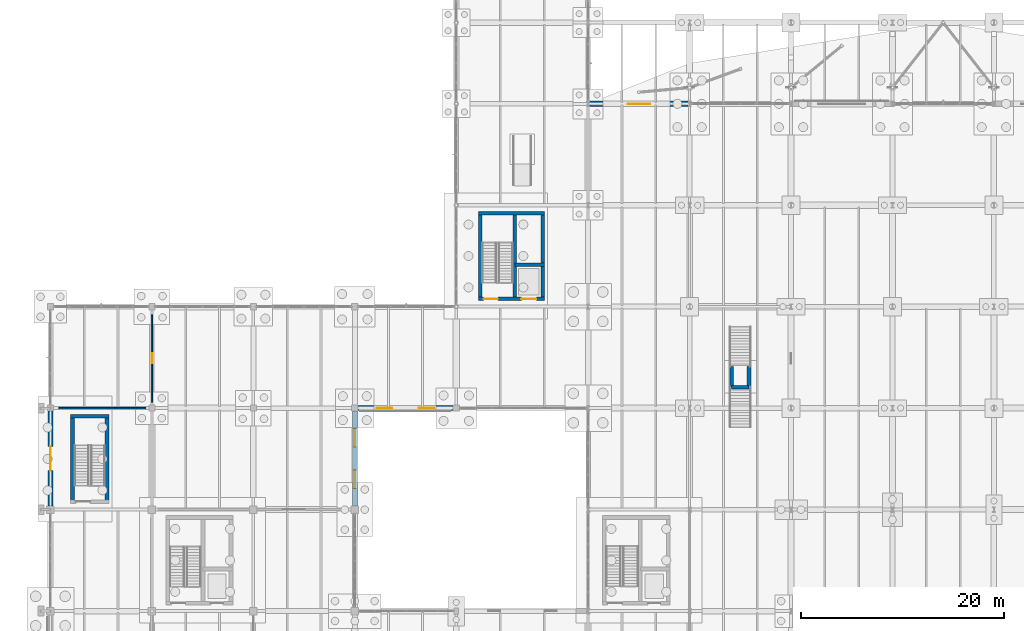
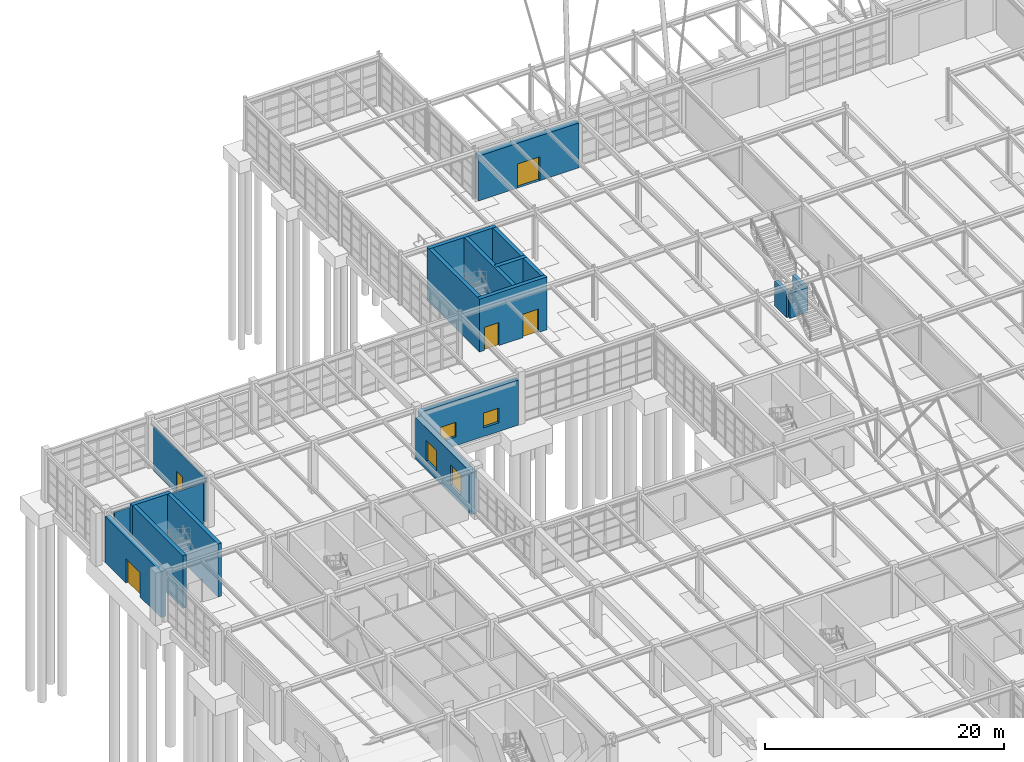
# One storey, part 124 of 145: 18 walls, 5 doors, 4 windows, 9 openings.
"""IFC4 building model written with IfcOpenShell, lengths in metres."""

from ifc_helpers import new_model, si_unit, direction, frame, frame_2d, origin, place, context, subcontext, project, spatial, rectangle, extrude, material, layer, layer_set, type_object, element, fill, save


model = new_model("IFC4")

# Units and contexts
model_context = context("Model", 3, precision=1e-05, world=origin(), true_north=direction((0.0, 1.0)))
body_context = subcontext(model_context, "Body", "Model", "MODEL_VIEW")
ifc_project = project(units=[si_unit("LENGTHUNIT", "METRE"), si_unit("AREAUNIT", "SQUARE_METRE"), si_unit("VOLUMEUNIT", "CUBIC_METRE"), si_unit("PLANEANGLEUNIT", "RADIAN"), si_unit("MASSUNIT", "GRAM", prefix="KILO"), si_unit("THERMODYNAMICTEMPERATUREUNIT", "KELVIN"), si_unit("POWERUNIT", "WATT")], contexts=[model_context])

# Site, building, storey
site_placement = place(None, origin())
site = spatial("IfcSite", under=ifc_project, at=site_placement, CompositionType="ELEMENT")
building_placement = place(site_placement, origin())
building = spatial("IfcBuilding", under=site, at=building_placement, Name="Korenveer Ferry Terminal", CompositionType="ELEMENT")
storey_placement = place(building_placement, origin())
storey = spatial("IfcBuildingStorey", under=building, at=storey_placement, Name="L00", CompositionType="ELEMENT", Elevation=0.0)

# Wall, openings, windows
ifc_material_1 = material(Name="Belgian bluestone plinth masonry", Category="masonry")
ifc_layer_1 = layer(ifc_material_1, 0.5)
ifc_layer_set_1 = layer_set([ifc_layer_1], Name="Belgian bluestone plinth masonry")
wall_type_1 = type_object("IfcWallType", Name="ENV-WL-STN500", PredefinedType="SOLIDWALL", material=ifc_layer_set_1)
wall_1_placement = place(storey_placement, frame((30.300048828125, 70.0, 0.0), z_axis=(0.0, 0.0, 1.0), x_axis=(1.0, 0.0, 0.0)))
wall_1 = element("IfcWall", 1, at=wall_1_placement, inside=storey, type_object=wall_type_1, Name="Exterior facade wall EWL-L00-016", PredefinedType="SOLIDWALL", context=body_context, shape_type="SweptSolid", body=[
    extrude(rectangle(XDim=9.39990234375, YDim=0.5, at=frame_2d((4.699951171875, 0.0))), origin(), (0.0, 0.0, 1.0), 4.590087890625),
])
opening_1_placement = place(wall_1_placement, frame((1.882080078125, 0.0, 0.89990234375)))
opening_1 = element("IfcOpeningElement", 2, at=opening_1_placement, cuts=wall_1, Name="Opening WN-11", PredefinedType="OPENING", context=body_context, shape_type="SweptSolid", body=[
    extrude(rectangle(XDim=1.5, YDim=1.5, at=frame_2d((0.75, 0.75))), frame((0.0, 0.260009765625, 0.0), z_axis=(0.0, -1.0, 0.0), x_axis=(1.0, 0.0, 0.0)), (0.0, 0.0, 1.0), 0.52001953125),
])
opening_2_placement = place(wall_1_placement, frame((6.01806640625, 0.0, 0.89990234375)))
opening_2 = element("IfcOpeningElement", 3, at=opening_2_placement, cuts=wall_1, Name="Opening WN-11", PredefinedType="OPENING", context=body_context, shape_type="SweptSolid", body=[
    extrude(rectangle(XDim=1.5, YDim=1.5, at=frame_2d((0.75, 0.75))), frame((0.0, 0.260009765625, 0.0), z_axis=(0.0, -1.0, 0.0), x_axis=(1.0, 0.0, 0.0)), (0.0, 0.0, 1.0), 0.52001953125),
])
ifc_material_2 = material(Name="Low-iron triple glazing in bronze frame", Category="glass")
window_type_1 = type_object("IfcWindowType", Name="ENV-WN-11", PartitioningType="SINGLE_PANEL", PredefinedType="WINDOW", material=ifc_material_2)
window_1_placement = place(opening_1_placement, origin())
window_1 = element("IfcWindow", 4, at=window_1_placement, inside=storey, type_object=window_type_1, Name="Lancet facade window 11", OverallHeight=1.5, OverallWidth=1.5, PartitioningType="SINGLE_PANEL", PredefinedType="WINDOW", context=body_context, shape_type="SweptSolid", body=[
    extrude(rectangle(XDim=1.5, YDim=1.5, at=frame_2d((0.75, 0.75))), frame((0.0, 0.030029296875, 0.0), z_axis=(0.0, -1.0, 0.0), x_axis=(1.0, 0.0, 0.0)), (0.0, 0.0, 1.0), 0.06005859375),
])
fill(opening_1, window_1)
window_2_placement = place(opening_2_placement, origin())
window_2 = element("IfcWindow", 5, at=window_2_placement, inside=storey, type_object=window_type_1, Name="Lancet facade window 12", OverallHeight=1.5, OverallWidth=1.5, PartitioningType="SINGLE_PANEL", PredefinedType="WINDOW", context=body_context, shape_type="SweptSolid", body=[
    extrude(rectangle(XDim=1.5, YDim=1.5, at=frame_2d((0.75, 0.75))), frame((0.0, 0.030029296875, 0.0), z_axis=(0.0, -1.0, 0.0), x_axis=(1.0, 0.0, 0.0)), (0.0, 0.0, 1.0), 0.06005859375),
])
fill(opening_2, window_2)

# Wall, opening, door
wall_2_placement = place(storey_placement, frame((0.0, 60.375, 0.0), z_axis=(0.0, 0.0, 1.0), x_axis=(0.0, 1.0, 0.0)))
wall_2 = element("IfcWall", 6, at=wall_2_placement, inside=storey, type_object=wall_type_1, Name="Exterior facade wall EWL-L00-026", PredefinedType="SOLIDWALL", context=body_context, shape_type="SweptSolid", body=[
    extrude(rectangle(XDim=9.324951171875, YDim=0.5, at=frame_2d((4.66259765625, 0.0))), origin(), (0.0, 0.0, 1.0), 4.68994140625),
])
opening_3_placement = place(wall_2_placement, frame((3.462890625, 0.0, 0.0)))
opening_3 = element("IfcOpeningElement", 7, at=opening_3_placement, cuts=wall_2, Name="Opening E10", PredefinedType="OPENING", context=body_context, shape_type="SweptSolid", body=[
    extrude(rectangle(XDim=2.39990234375, YDim=2.5, at=frame_2d((1.199951171875, 1.25))), frame((0.0, 0.260009765625, 0.0), z_axis=(0.0, -1.0, 0.0), x_axis=(1.0, 0.0, 0.0)), (0.0, 0.0, 1.0), 0.52001953125),
])
ifc_material_3 = material(Name="Thermally broken bronze glazed door", Category="aluminium")
door_type_1 = type_object("IfcDoorType", Name="ENV-DR-EXIT240", OperationType="DOUBLE_DOOR_SINGLE_SWING", PredefinedType="DOOR", material=ifc_material_3)
door_1_placement = place(opening_3_placement, origin())
door_1 = element("IfcDoor", 8, at=door_1_placement, inside=storey, type_object=door_type_1, Name="West North Stair Final Exit E10", OperationType="DOUBLE_DOOR_SINGLE_SWING", OverallHeight=2.5, OverallWidth=2.39990234375, PredefinedType="DOOR", context=body_context, shape_type="SweptSolid", body=[
    extrude(rectangle(XDim=2.39990234375, YDim=2.5, at=frame_2d((1.199951171875, 1.25))), frame((0.0, 0.02490234375, 0.0), z_axis=(0.0, -1.0, 0.0), x_axis=(1.0, 0.0, 0.0)), (0.0, 0.0, 1.0), 0.050048828125),
])
fill(opening_3, door_1)

# Wall, openings, windows
wall_3_placement = place(storey_placement, frame((30.0, 69.699951171875, 0.0), z_axis=(0.0, 0.0, 1.0), x_axis=(0.0, -1.0, 0.0)))
wall_3 = element("IfcWall", 9, at=wall_3_placement, inside=storey, type_object=wall_type_1, Name="Exterior facade wall EWL-L00-027", PredefinedType="SOLIDWALL", context=body_context, shape_type="SweptSolid", body=[
    extrude(rectangle(XDim=9.324951171875, YDim=0.5, at=frame_2d((4.66259765625, 0.0))), origin(), (0.0, 0.0, 1.0), 4.2900390625),
])
opening_4_placement = place(wall_3_placement, frame((1.7109375, 0.0, 0.89990234375)))
opening_4 = element("IfcOpeningElement", 10, at=opening_4_placement, cuts=wall_3, Name="Opening WN-19", PredefinedType="OPENING", context=body_context, shape_type="SweptSolid", body=[
    extrude(rectangle(XDim=1.800048828125, YDim=2.10009765625, at=frame_2d((0.89990234375, 1.050048828125))), frame((0.0, 0.260009765625, 0.0), z_axis=(0.0, -1.0, 0.0), x_axis=(1.0, 0.0, 0.0)), (0.0, 0.0, 1.0), 0.52001953125),
])
opening_5_placement = place(wall_3_placement, frame((5.81396484375, 0.0, 0.89990234375)))
opening_5 = element("IfcOpeningElement", 11, at=opening_5_placement, cuts=wall_3, Name="Opening WN-19", PredefinedType="OPENING", context=body_context, shape_type="SweptSolid", body=[
    extrude(rectangle(XDim=1.800048828125, YDim=2.10009765625, at=frame_2d((0.89990234375, 1.050048828125))), frame((0.0, 0.260009765625, 0.0), z_axis=(0.0, -1.0, 0.0), x_axis=(1.0, 0.0, 0.0)), (0.0, 0.0, 1.0), 0.52001953125),
])
window_type_2 = type_object("IfcWindowType", Name="ENV-WN-19", PartitioningType="SINGLE_PANEL", PredefinedType="WINDOW", material=ifc_material_2)
window_3_placement = place(opening_4_placement, origin())
window_3 = element("IfcWindow", 12, at=window_3_placement, inside=storey, type_object=window_type_2, Name="Lancet facade window 19", OverallHeight=2.10009765625, OverallWidth=1.800048828125, PartitioningType="SINGLE_PANEL", PredefinedType="WINDOW", context=body_context, shape_type="SweptSolid", body=[
    extrude(rectangle(XDim=1.800048828125, YDim=2.10009765625, at=frame_2d((0.89990234375, 1.050048828125))), frame((0.0, 0.030029296875, 0.0), z_axis=(0.0, -1.0, 0.0), x_axis=(1.0, 0.0, 0.0)), (0.0, 0.0, 1.0), 0.06005859375),
])
fill(opening_4, window_3)
window_4_placement = place(opening_5_placement, origin())
window_4 = element("IfcWindow", 13, at=window_4_placement, inside=storey, type_object=window_type_2, Name="Lancet facade window 20", OverallHeight=2.10009765625, OverallWidth=1.800048828125, PartitioningType="SINGLE_PANEL", PredefinedType="WINDOW", context=body_context, shape_type="SweptSolid", body=[
    extrude(rectangle(XDim=1.800048828125, YDim=2.10009765625, at=frame_2d((0.89990234375, 1.050048828125))), frame((0.0, 0.030029296875, 0.0), z_axis=(0.0, -1.0, 0.0), x_axis=(1.0, 0.0, 0.0)), (0.0, 0.0, 1.0), 0.06005859375),
])
fill(opening_5, window_4)

# Wall, opening, door
ifc_material_4 = material(Name="Belgian bluestone flood-plinth masonry", Category="masonry")
ifc_layer_2 = layer(ifc_material_4, 0.56005859375)
ifc_layer_set_2 = layer_set([ifc_layer_2], Name="Belgian bluestone flood-plinth masonry")
wall_type_2 = type_object("IfcWallType", Name="ENV-WL-STN560", PredefinedType="SOLIDWALL", material=ifc_layer_set_2)
wall_4_placement = place(storey_placement, frame((53.14990234375, 100.0, 0.0), z_axis=(0.0, 0.0, 1.0), x_axis=(1.0, 0.0, 0.0)))
wall_4 = element("IfcWall", 14, at=wall_4_placement, inside=storey, type_object=wall_type_2, Name="Exterior facade wall EWL-L00-018", PredefinedType="SOLIDWALL", context=body_context, shape_type="SweptSolid", body=[
    extrude(rectangle(XDim=9.7001953125, YDim=0.56005859375, at=frame_2d((4.85009765625, 0.0))), origin(), (0.0, 0.0, 1.0), 4.580078125),
])
opening_6_placement = place(wall_4_placement, frame((3.75, 0.0, 0.0)))
opening_6 = element("IfcOpeningElement", 15, at=opening_6_placement, cuts=wall_4, Name="Opening E13", PredefinedType="OPENING", context=body_context, shape_type="SweptSolid", body=[
    extrude(rectangle(XDim=2.199951171875, YDim=2.449951171875, at=frame_2d((1.10009765625, 1.22509765625))), frame((0.0, 0.2900390625, 0.0), z_axis=(0.0, -1.0, 0.0), x_axis=(1.0, 0.0, 0.0)), (0.0, 0.0, 1.0), 0.580078125),
])
door_type_2 = type_object("IfcDoorType", Name="ENV-DR-EXIT220", OperationType="DOUBLE_DOOR_SINGLE_SWING", PredefinedType="DOOR", material=ifc_material_3)
door_2_placement = place(opening_6_placement, origin())
door_2 = element("IfcDoor", 16, at=door_2_placement, inside=storey, type_object=door_type_2, Name="West Waterfront Quay Promenade Exit E13", OperationType="DOUBLE_DOOR_SINGLE_SWING", OverallHeight=2.449951171875, OverallWidth=2.199951171875, PredefinedType="DOOR", context=body_context, shape_type="SweptSolid", body=[
    extrude(rectangle(XDim=2.199951171875, YDim=2.449951171875, at=frame_2d((1.10009765625, 1.22509765625))), frame((0.0, 0.02490234375, 0.0), z_axis=(0.0, -1.0, 0.0), x_axis=(1.0, 0.0, 0.0)), (0.0, 0.0, 1.0), 0.050048828125),
])
fill(opening_6, door_2)

# Wall, openings, doors
ifc_material_5 = material(Name="Concrete C45/55", Category="concrete")
ifc_layer_3 = layer(ifc_material_5, 0.360107421875)
ifc_layer_set_3 = layer_set([ifc_layer_3], Name="Concrete C45/55")
wall_type_3 = type_object("IfcWallType", Name="INT-WL-CORE360", PredefinedType="SHEAR", material=ifc_layer_set_3)
wall_5_placement = place(storey_placement, frame((42.199951171875, 80.780029296875, 0.0), z_axis=(0.0, 0.0, 1.0), x_axis=(1.0, 0.0, 0.0)))
wall_5 = element("IfcWall", 17, at=wall_5_placement, inside=storey, type_object=wall_type_3, Name="West Berth Pier Core K7 south shear wall L00", PredefinedType="SHEAR", context=body_context, shape_type="SweptSolid", body=[
    extrude(rectangle(XDim=6.52001953125, YDim=0.360107421875, at=frame_2d((3.260009765625, 0.0))), origin(), (0.0, 0.0, 1.0), 5.39990234375),
])
opening_7_placement = place(wall_5_placement, frame((0.510009765625, 0.0, 0.0)))
opening_7 = element("IfcOpeningElement", 18, at=opening_7_placement, cuts=wall_5, Name="Opening SD-23", PredefinedType="OPENING", context=body_context, shape_type="SweptSolid", body=[
    extrude(rectangle(XDim=1.39990234375, YDim=2.35009765625, at=frame_2d((0.699951171875, 1.175048828125))), frame((0.0, 0.18994140625, 0.0), z_axis=(0.0, -1.0, 0.0), x_axis=(1.0, 0.0, 0.0)), (0.0, 0.0, 1.0), 0.380126953125),
])
opening_8_placement = place(wall_5_placement, frame((4.2099609375, 0.0, 0.0)))
opening_8 = element("IfcOpeningElement", 19, at=opening_8_placement, cuts=wall_5, Name="Opening LD-23", PredefinedType="OPENING", context=body_context, shape_type="SweptSolid", body=[
    extrude(rectangle(XDim=1.5, YDim=2.39990234375, at=frame_2d((0.75, 1.199951171875))), frame((0.0, 0.18994140625, 0.0), z_axis=(0.0, -1.0, 0.0), x_axis=(1.0, 0.0, 0.0)), (0.0, 0.0, 1.0), 0.380126953125),
])
ifc_material_6 = material(Name="Solid hardwood and steel acoustic door", Category="steel")
door_type_3 = type_object("IfcDoorType", Name="INT-DR-LD150", OperationType="SLIDING_TO_LEFT", PredefinedType="DOOR", material=ifc_material_6)
door_3_placement = place(opening_8_placement, origin())
door_3 = element("IfcDoor", 20, at=door_3_placement, inside=storey, type_object=door_type_3, Name="Lift LG1 Sliding Landing Door L00", OperationType="SLIDING_TO_LEFT", OverallHeight=2.39990234375, OverallWidth=1.5, PredefinedType="DOOR", context=body_context, shape_type="SweptSolid", body=[
    extrude(rectangle(XDim=1.5, YDim=2.39990234375, at=frame_2d((0.75, 1.199951171875))), frame((0.0, 0.02490234375, 0.0), z_axis=(0.0, -1.0, 0.0), x_axis=(1.0, 0.0, 0.0)), (0.0, 0.0, 1.0), 0.050048828125),
])
fill(opening_8, door_3)
door_type_4 = type_object("IfcDoorType", Name="INT-DR-ST140", OperationType="NOTDEFINED", PredefinedType="DOOR", material=ifc_material_6)
door_4_placement = place(opening_7_placement, origin())
door_4 = element("IfcDoor", 21, at=door_4_placement, inside=storey, type_object=door_type_4, Name="ST07 Stair Door L00", OperationType="SINGLE_SWING_LEFT", OverallHeight=2.35009765625, OverallWidth=1.39990234375, PredefinedType="DOOR", context=body_context, shape_type="SweptSolid", body=[
    extrude(rectangle(XDim=1.39990234375, YDim=2.35009765625, at=frame_2d((0.699951171875, 1.175048828125))), frame((0.0, 0.02490234375, 0.0), z_axis=(0.0, -1.0, 0.0), x_axis=(1.0, 0.0, 0.0)), (0.0, 0.0, 1.0), 0.050048828125),
])
fill(opening_7, door_4)

# Walls
wall_6_placement = place(storey_placement, frame((42.199951171875, 89.219970703125, 0.0), z_axis=(0.0, 0.0, 1.0), x_axis=(1.0, 0.0, 0.0)))
element("IfcWall", 22, at=wall_6_placement, inside=storey, type_object=wall_type_3, Name="West Berth Pier Core K7 north shear wall L00", PredefinedType="SHEAR", context=body_context, shape_type="SweptSolid", body=[
    extrude(rectangle(XDim=6.52001953125, YDim=0.360107421875, at=frame_2d((3.260009765625, 0.0))), origin(), (0.0, 0.0, 1.0), 5.39990234375),
])
for number, where, z_axis, x_axis, name in (
    (23, (42.3798828125, 80.60009765625, 0.0), (0.0, 0.0, 1.0), (0.0, 1.0, 0.0), "West Berth Pier Core K7 west shear wall L00"),
    (24, (48.5400390625, 80.60009765625, 0.0), (0.0, 0.0, 1.0), (0.0, 1.0, 0.0), "West Berth Pier Core K7 east shear wall L00"),
    (25, (45.780029296875, 80.60009765625, 0.0), (0.0, 0.0, 1.0), (0.0, 1.0, 0.0), "West Berth Pier Core K7 shaft divider wall L00"),
):
    element("IfcWall", number, at=place(storey_placement, frame(where, z_axis=z_axis, x_axis=x_axis)), inside=storey, type_object=wall_type_3, Name=name, PredefinedType="SHEAR", context=body_context, shape_type="SweptSolid", body=[
        extrude(rectangle(XDim=8.7998046875, YDim=0.360107421875, at=frame_2d((4.39990234375, 0.0))), origin(), (0.0, 0.0, 1.0), 5.39990234375),
    ])
wall_7_placement = place(storey_placement, frame((45.780029296875, 84.139892578125, 0.0), z_axis=(0.0, 0.0, 1.0), x_axis=(1.0, 0.0, 0.0)))
element("IfcWall", 26, at=wall_7_placement, inside=storey, type_object=wall_type_3, Name="West Berth Pier Core K7 lift shaft wall L00", PredefinedType="SHEAR", context=body_context, shape_type="SweptSolid", body=[
    extrude(rectangle(XDim=2.93994140625, YDim=0.360107421875, at=frame_2d((1.469970703125, 0.0))), origin(), (0.0, 0.0, 1.0), 5.39990234375),
])
wall_8_placement = place(storey_placement, frame((2.0, 69.219970703125, 0.0), z_axis=(0.0, 0.0, 1.0), x_axis=(1.0, 0.0, 0.0)))
element("IfcWall", 27, at=wall_8_placement, inside=storey, type_object=wall_type_3, Name="Harbourmaster North Stair Core K11 north shear wall L00", PredefinedType="SHEAR", context=body_context, shape_type="SweptSolid", body=[
    extrude(rectangle(XDim=3.760009765625, YDim=0.360107421875, at=frame_2d((1.8798828125, 0.0))), origin(), (0.0, 0.0, 1.0), 5.39990234375),
])
for number, where, z_axis, x_axis, name in (
    (28, (2.179931640625, 60.60009765625, 0.0), (0.0, 0.0, 1.0), (0.0, 1.0, 0.0), "Harbourmaster North Stair Core K11 west shear wall L00"),
    (29, (5.580078125, 60.60009765625, 0.0), (0.0, 0.0, 1.0), (0.0, 1.0, 0.0), "Harbourmaster North Stair Core K11 east shear wall L00"),
):
    element("IfcWall", number, at=place(storey_placement, frame(where, z_axis=z_axis, x_axis=x_axis)), inside=storey, type_object=wall_type_3, Name=name, PredefinedType="SHEAR", context=body_context, shape_type="SweptSolid", body=[
        extrude(rectangle(XDim=8.7998046875, YDim=0.360107421875, at=frame_2d((4.39990234375, 0.0))), origin(), (0.0, 0.0, 1.0), 5.39990234375),
    ])
for number, where, z_axis, x_axis, name in (
    (30, (67.14990234375, 72.10009765625, 0.0), (0.0, 0.0, 1.0), (0.0, 1.0, 0.0), "Feature stair landing pier SWL-FST-1-1"),
    (31, (68.85009765625, 72.10009765625, 0.0), (0.0, 0.0, 1.0), (0.0, 1.0, 0.0), "Feature stair landing pier SWL-FST-1-2"),
):
    element("IfcWall", number, at=place(storey_placement, frame(where, z_axis=z_axis, x_axis=x_axis)), inside=storey, type_object=wall_type_3, Name=name, PredefinedType="SHEAR", context=body_context, shape_type="SweptSolid", body=[
        extrude(rectangle(XDim=2.0, YDim=0.360107421875, at=frame_2d((1.0, 0.0))), origin(), (0.0, 0.0, 1.0), 2.52001953125),
    ])
wall_9_placement = place(storey_placement, frame((67.14990234375, 72.050048828125, 0.0), z_axis=(0.0, 0.0, 1.0), x_axis=(1.0, 0.0, 0.0)))
element("IfcWall", 32, at=wall_9_placement, inside=storey, type_object=wall_type_3, Name="Feature stair cross pier 1", PredefinedType="SHEAR", context=body_context, shape_type="SweptSolid", body=[
    extrude(rectangle(XDim=1.7001953125, YDim=0.360107421875, at=frame_2d((0.85009765625, 0.0))), origin(), (0.0, 0.0, 1.0), 2.52001953125),
])

# Wall, opening, door
ifc_material_7 = material(Name="Acoustic gypsum board stud partition", Category="other")
ifc_layer_4 = layer(ifc_material_7, 0.14990234375)
ifc_layer_set_4 = layer_set([ifc_layer_4], Name="Acoustic gypsum board stud partition")
wall_type_4 = type_object("IfcWallType", Name="INT-WL-PART150", PredefinedType="PARTITIONING", material=ifc_layer_set_4)
wall_10_placement = place(storey_placement, frame((10.0, 70.60009765625, 0.0), z_axis=(0.0, 0.0, 1.0), x_axis=(0.0, 1.0, 0.0)))
wall_10 = element("IfcWall", 33, at=wall_10_placement, inside=storey, type_object=wall_type_4, Name="Interior partition PWL-L00-012", PredefinedType="PARTITIONING", context=body_context, shape_type="SweptSolid", body=[
    extrude(rectangle(XDim=8.599853515625, YDim=0.14990234375, at=frame_2d((4.2998046875, 0.0))), origin(), (0.0, 0.0, 1.0), 4.489990234375),
])
opening_9_placement = place(wall_10_placement, frame((3.81005859375, 0.0, 0.0)))
opening_9 = element("IfcOpeningElement", 34, at=opening_9_placement, cuts=wall_10, Name="Opening ID-012", PredefinedType="OPENING", context=body_context, shape_type="SweptSolid", body=[
    extrude(rectangle(XDim=0.97998046875, YDim=2.300048828125, at=frame_2d((0.489990234375, 1.14990234375))), frame((0.0, 0.0849609375, 0.0), z_axis=(0.0, -1.0, 0.0), x_axis=(1.0, 0.0, 0.0)), (0.0, 0.0, 1.0), 0.169921875),
])
door_type_5 = type_object("IfcDoorType", Name="INT-DR-WC098", OperationType="NOTDEFINED", PredefinedType="DOOR", material=ifc_material_6)
door_5_placement = place(opening_9_placement, origin())
door_5 = element("IfcDoor", 35, at=door_5_placement, inside=storey, type_object=door_type_5, Name="L00 West Staff WC Door", OperationType="SINGLE_SWING_LEFT", OverallHeight=2.300048828125, OverallWidth=0.97998046875, PredefinedType="DOOR", context=body_context, shape_type="SweptSolid", body=[
    extrude(rectangle(XDim=0.97998046875, YDim=2.300048828125, at=frame_2d((0.489990234375, 1.14990234375))), frame((0.0, 0.02490234375, 0.0), z_axis=(0.0, -1.0, 0.0), x_axis=(1.0, 0.0, 0.0)), (0.0, 0.0, 1.0), 0.050048828125),
])
fill(opening_9, door_5)

# Wall
wall_11_placement = place(storey_placement, frame((0.800048828125, 70.0, 0.0), z_axis=(0.0, 0.0, 1.0), x_axis=(1.0, 0.0, 0.0)))
element("IfcWall", 36, at=wall_11_placement, inside=storey, type_object=wall_type_4, Name="Interior partition PWL-L00-013", PredefinedType="PARTITIONING", context=body_context, shape_type="SweptSolid", body=[
    extrude(rectangle(XDim=8.599853515625, YDim=0.14990234375, at=frame_2d((4.2998046875, 0.0))), origin(), (0.0, 0.0, 1.0), 4.590087890625),
])

save(model, "model.ifc")
